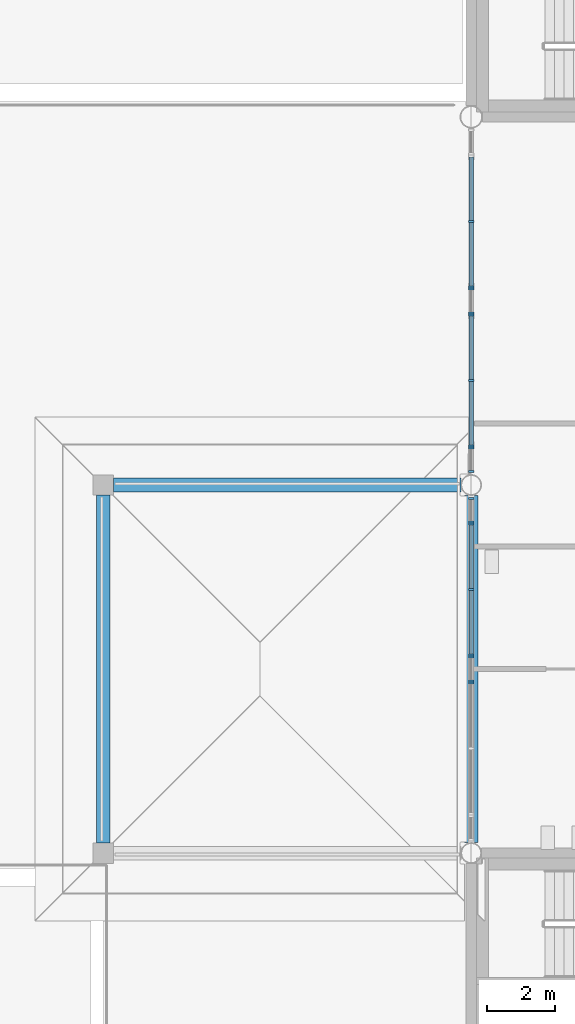
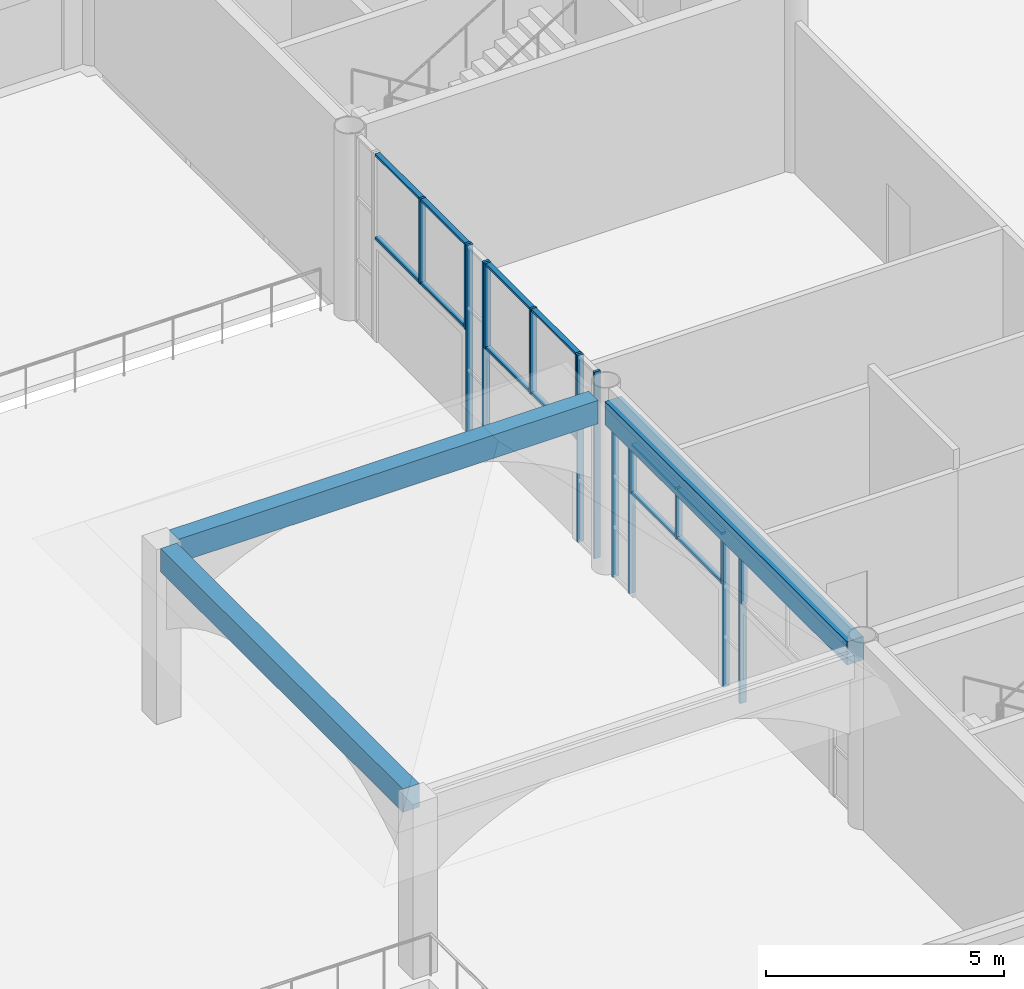
# One storey, part 18 of 91: 29 members, 3 beams, 8 elements without a shape of their own.
"""IFC4 building model written with IfcOpenShell, lengths in metres."""

import ifcopenshell
import ifcopenshell.guid

model = None  # the IFC model being written
_history = None  # IfcOwnerHistory: only IFC2X3 demands one
_inside = {}  # id of a spatial element -> (the spatial element, [elements in it])
_under = {}  # id of a project, library or spatial element -> (it, [spatial elements below it])
_declared = {}  # id of a project -> (the project, [libraries it declares])
_typed = {}  # id of a type object -> (the type object, [elements of that type])
_made_of = {}  # id of a material, layer set ... -> (it, [elements and type objects made of it])


def new_model(schema):
    """Start an empty IFC model of exactly this schema.

    Asked for "IFC4X3", IfcOpenShell would pick the latest addendum, in which some entities
    have other attributes; the version numbers below select the first issue.
    IFC2X3 requires an IfcOwnerHistory on every rooted entity: one is made here for all.
    """
    global model, _history
    if schema == "IFC4X3":
        model = ifcopenshell.file(schema_version=(4, 3, 0, 0))
    else:
        model = ifcopenshell.file(schema=schema)
    _inside.clear()
    _under.clear()
    _declared.clear()
    _typed.clear()
    _made_of.clear()
    _history = None
    if model.schema == "IFC2X3":
        org = make("IfcOrganization", Name="unknown")
        user = make(
            "IfcPersonAndOrganization",
            ThePerson=make("IfcPerson", FamilyName="unknown"),
            TheOrganization=org,
        )
        app = make(
            "IfcApplication",
            ApplicationDeveloper=org,
            Version="unknown",
            ApplicationFullName="unknown",
            ApplicationIdentifier="unknown",
        )
        _history = make(
            "IfcOwnerHistory",
            OwningUser=user,
            OwningApplication=app,
            ChangeAction="ADDED",
            CreationDate=0,
        )
    return model


def make(cls, **values):
    """One entity of the class cls with the attributes given. An attribute that is None is left unset."""
    return model.create_entity(
        cls, **{name: value for name, value in values.items() if value is not None}
    )


def rooted(cls, **values):
    """An entity with a GlobalId (a new one), such as an element, a storey or a relation."""
    return make(cls, GlobalId=ifcopenshell.guid.new(), OwnerHistory=_history, **values)


def si_unit(unit_type, name, prefix=None):
    """IfcSIUnit, for example si_unit("LENGTHUNIT", "METRE", prefix="MILLI")."""
    return make("IfcSIUnit", UnitType=unit_type, Prefix=prefix, Name=name)


def assignment(units):
    """IfcUnitAssignment: the units of a project."""
    return None if units is None else make("IfcUnitAssignment", Units=units)


def point(xyz):
    """IfcCartesianPoint."""
    return None if xyz is None else make("IfcCartesianPoint", Coordinates=xyz)


def direction(xyz):
    """IfcDirection."""
    return None if xyz is None else make("IfcDirection", DirectionRatios=xyz)


def frame(location, z_axis=None, x_axis=None):
    """IfcAxis2Placement3D, a coordinate frame: its origin and axes. An axis left out is left unset."""
    return make(
        "IfcAxis2Placement3D",
        Location=point(location),
        Axis=direction(z_axis),
        RefDirection=direction(x_axis),
    )


def frame_2d(location, x_axis=None):
    """IfcAxis2Placement2D, a coordinate frame in the plane: its origin and x axis."""
    return make(
        "IfcAxis2Placement2D", Location=point(location), RefDirection=direction(x_axis)
    )


def origin():
    """The frame at (0, 0, 0) with its axes left unset."""
    return frame((0.0, 0.0, 0.0))


def origin_2d():
    """The frame at (0, 0) in the plane with its x axis left unset."""
    return frame_2d((0.0, 0.0))


def place(relative_to, where):
    """IfcLocalPlacement: puts the frame where relative to a parent placement (None: the world)."""
    return make(
        "IfcLocalPlacement", PlacementRelTo=relative_to, RelativePlacement=where
    )


def context(
    kind, dimensions, precision=None, world=None, true_north=None, identifier=None
):
    """IfcGeometricRepresentationContext, for example the 3D "Model" context."""
    return make(
        "IfcGeometricRepresentationContext",
        ContextIdentifier=identifier,
        ContextType=kind,
        CoordinateSpaceDimension=dimensions,
        Precision=precision,
        WorldCoordinateSystem=world,
        TrueNorth=true_north,
    )


def subcontext(parent, identifier, kind, view, scale=None):
    """IfcGeometricRepresentationSubContext, for example "Body" below "Model"."""
    return make(
        "IfcGeometricRepresentationSubContext",
        ContextIdentifier=identifier,
        ContextType=kind,
        ParentContext=parent,
        TargetScale=scale,
        TargetView=view,
    )


def project(units=None, contexts=None):
    """IfcProject with its units and contexts."""
    return rooted(
        "IfcProject",
        Name="project",
        RepresentationContexts=contexts,
        UnitsInContext=assignment(units),
    )


def spatial(cls, under=None, at=None, **own):
    """A site, building, storey or space (cls), placed at a placement, below another one or the project."""
    s = rooted(cls, ObjectPlacement=at, **own)
    if under is not None:
        _under.setdefault(under.id(), (under, []))[1].append(s)
    return s


def profile(cls, at=None, kind="AREA", **sizes):
    """A parametric profile (cls). Its sizes go by their IFC names, for example OverallWidth=200.0."""
    return make(cls, ProfileType=kind, Position=at, **sizes)


def rectangle(**sizes):
    """IfcRectangleProfileDef."""
    return profile("IfcRectangleProfileDef", **sizes)


def extrude(swept, where, along, depth):
    """IfcExtrudedAreaSolid: the profile swept, set in the frame where, extruded along a direction by depth."""
    return make(
        "IfcExtrudedAreaSolid",
        SweptArea=swept,
        Position=where,
        ExtrudedDirection=direction(along),
        Depth=depth,
    )


def shape(context_of_items, identifier, shape_type, items):
    """IfcShapeRepresentation: the items that make up one representation, for example the "Body"."""
    return make(
        "IfcShapeRepresentation",
        ContextOfItems=context_of_items,
        RepresentationIdentifier=identifier,
        RepresentationType=shape_type,
        Items=items,
    )


def material(Name=None, Category=None):
    """IfcMaterial."""
    return make("IfcMaterial", Name=Name, Category=Category)


def layer(
    of_material, thickness, ventilated=None, Name=None, Category=None, Priority=None
):
    """IfcMaterialLayer: one layer of a wall or slab, of a material (None: an air gap)."""
    return make(
        "IfcMaterialLayer",
        Material=of_material,
        LayerThickness=thickness,
        IsVentilated=ventilated,
        Name=Name,
        Category=Category,
        Priority=Priority,
    )


def layer_set(layers, Name=None):
    """IfcMaterialLayerSet."""
    return make("IfcMaterialLayerSet", MaterialLayers=layers, LayerSetName=Name)


def material_profile(
    of_material, cross_section, Name=None, Category=None, Priority=None
):
    """IfcMaterialProfile: a cross section and its material."""
    return make(
        "IfcMaterialProfile",
        Name=Name,
        Material=of_material,
        Profile=cross_section,
        Priority=Priority,
        Category=Category,
    )


def profile_set(profiles, Name=None, composite=None):
    """IfcMaterialProfileSet."""
    return make(
        "IfcMaterialProfileSet",
        Name=Name,
        MaterialProfiles=profiles,
        CompositeProfile=composite,
    )


def made_of(thing, what):
    """Note that an element or type object is made of a material, layer set ...; save() writes the relation."""
    if what is not None:
        _made_of.setdefault(what.id(), (what, []))[1].append(thing)
    return thing


def type_object(cls, material=None, **own):
    """A type object (cls), such as IfcWallType, which elements share."""
    return made_of(rooted(cls, **own), material)


def element(
    cls,
    number,
    at=None,
    inside=None,
    cuts=None,
    type_object=None,
    material=None,
    context=None,
    identifier="Body",
    shape_type=None,
    held_by="IfcProductDefinitionShape",
    body=None,
    shapes=None,
    **own,
):
    """One element of the class cls, such as IfcWall. Its Tag is "e" and its number.

    at: its placement. inside: the storey or other place that contains it. cuts: it is an
    opening in that element (IfcRelVoidsElement). A single representation is given by context,
    identifier, shape_type and body (its items); several are given by shapes. held_by: the class
    of the entity that holds the representations. save() writes the other relations.
    """
    e = rooted(cls, Tag="e%d" % number, ObjectPlacement=at, **own)
    if body is not None:
        shapes = [shape(context, identifier, shape_type, body)]
    if shapes is not None:
        e.Representation = make(held_by, Representations=shapes)
    if inside is not None:
        _inside.setdefault(inside.id(), (inside, []))[1].append(e)
    if cuts is not None:
        rooted(
            "IfcRelVoidsElement", RelatingBuildingElement=cuts, RelatedOpeningElement=e
        )
    if type_object is not None:
        _typed.setdefault(type_object.id(), (type_object, []))[1].append(e)
    return made_of(e, material)


def aggregate(whole, parts):
    """IfcRelAggregates: a whole, such as a stair, and the parts it consists of."""
    return rooted("IfcRelAggregates", RelatingObject=whole, RelatedObjects=parts)


def save(model, path):
    """Write the relations noted so far, then the file.

    IfcRelAggregates (storeys below a building ...), IfcRelContainedInSpatialStructure (elements
    in a storey), IfcRelDefinesByType, IfcRelAssociatesMaterial and IfcRelDeclares: one each for
    every whole, place, type object, material and project.
    """
    for whole, parts in _under.values():
        aggregate(whole, parts)
    for where, things in _inside.values():
        rooted(
            "IfcRelContainedInSpatialStructure",
            RelatedElements=things,
            RelatingStructure=where,
        )
    for kind, things in _typed.values():
        rooted("IfcRelDefinesByType", RelatedObjects=things, RelatingType=kind)
    for what, things in _made_of.values():
        rooted("IfcRelAssociatesMaterial", RelatedObjects=things, RelatingMaterial=what)
    for by, libraries in _declared.values():
        rooted("IfcRelDeclares", RelatingContext=by, RelatedDefinitions=libraries)
    model.write(path)


model = new_model("IFC4")

# Units and contexts
model_context = context("Model", 3, precision=1e-05, world=origin(), true_north=direction((0.0, 1.0)))
body_context = subcontext(model_context, "Body", "Model", "MODEL_VIEW")
ifc_project = project(units=[si_unit("LENGTHUNIT", "METRE"), si_unit("AREAUNIT", "SQUARE_METRE"), si_unit("VOLUMEUNIT", "CUBIC_METRE"), si_unit("PLANEANGLEUNIT", "RADIAN"), si_unit("MASSUNIT", "GRAM", prefix="KILO")], contexts=[model_context])

# Site, building, storey
site_placement = place(None, origin())
site = spatial("IfcSite", under=ifc_project, at=site_placement, CompositionType="ELEMENT")
building_placement = place(site_placement, origin())
building = spatial("IfcBuilding", under=site, at=building_placement, Name="Magnolia Steps Interchange", CompositionType="ELEMENT")
storey_placement = place(building_placement, origin())
storey = spatial("IfcBuildingStorey", under=building, at=storey_placement, Name="L00", CompositionType="ELEMENT", Elevation=0.0)

# Curtain wall, member
ifc_material_1 = material(Name="Powder-coated aluminium and glass", Category="aluminium")
ifc_layer = layer(ifc_material_1, 0.14990234375)
ifc_layer_set = layer_set([ifc_layer], Name="Glazed hall curtain wall")
curtain_wall_type = type_object("IfcCurtainWallType", Name="Glazed hall curtain wall", PredefinedType="NOTDEFINED", material=ifc_layer_set)
curtain_wall_1_placement = place(storey_placement, origin())
curtain_wall_1 = element("IfcCurtainWall", 1, at=curtain_wall_1_placement, inside=storey, type_object=curtain_wall_type, Name="Hall entrance fanlight W2-1", PredefinedType="NOTDEFINED")
ifc_material_2 = material(Name="White powder-coated aluminium", Category="aluminium")
ifc_material_profile_1 = material_profile(ifc_material_2, rectangle(XDim=0.06005859375, YDim=0.14990234375, at=origin_2d()), Name="Aluminium mullion 60 x 150")
ifc_profile_set_1 = profile_set([ifc_material_profile_1], Name="White powder-coated aluminium")
member_type_1 = type_object("IfcMemberType", Name="Aluminium mullion 60 x 150", PredefinedType="MULLION", material=ifc_profile_set_1)
member_1_placement = place(storey_placement, frame((53.199951171875, 58.18994140625, 2.60009765625), z_axis=(0.0, 0.0, 1.0), x_axis=(0.0, 1.0, 0.0)))
member_1 = element("IfcMember", 2, at=member_1_placement, type_object=member_type_1, Name="CW1 mullion 3", PredefinedType="MULLION", context=body_context, shape_type="SweptSolid", body=[
    extrude(rectangle(XDim=0.06005859375, YDim=0.14990234375, at=origin_2d()), origin(), (0.0, 0.0, 1.0), 1.2998046875),
])
aggregate(curtain_wall_1, [member_1])

# Curtain wall, members
curtain_wall_2_placement = place(storey_placement, origin())
curtain_wall_2 = element("IfcCurtainWall", 3, at=curtain_wall_2_placement, inside=storey, type_object=curtain_wall_type, Name="Hall glazing W2b L00", PredefinedType="NOTDEFINED")
member_2_placement = place(storey_placement, frame((53.199951171875, 58.25, 0.0), z_axis=(0.0, 0.0, 1.0), x_axis=(0.0, 1.0, 0.0)))
member_2 = element("IfcMember", 4, at=member_2_placement, type_object=member_type_1, Name="CW1 mullion 1", PredefinedType="MULLION", context=body_context, shape_type="SweptSolid", body=[
    extrude(rectangle(XDim=0.06005859375, YDim=0.14990234375, at=origin_2d()), origin(), (0.0, 0.0, 1.0), 3.89990234375),
])
member_3_placement = place(storey_placement, frame((53.199951171875, 58.949951171875, 0.0), z_axis=(0.0, 0.0, 1.0), x_axis=(0.0, 1.0, 0.0)))
member_3 = element("IfcMember", 5, at=member_3_placement, type_object=member_type_1, Name="CW1 mullion 2", PredefinedType="MULLION", context=body_context, shape_type="SweptSolid", body=[
    extrude(rectangle(XDim=0.06005859375, YDim=0.14990234375, at=origin_2d()), origin(), (0.0, 0.0, 1.0), 3.89990234375),
])
aggregate(curtain_wall_2, [member_2, member_3])

curtain_wall_3_placement = place(storey_placement, origin())
curtain_wall_3 = element("IfcCurtainWall", 6, at=curtain_wall_3_placement, inside=storey, type_object=curtain_wall_type, Name="Hall entrance fanlight W2-2", PredefinedType="NOTDEFINED")
member_4_placement = place(storey_placement, frame((53.199951171875, 59.010009765625, 2.60009765625), z_axis=(0.0, 0.0, 1.0), x_axis=(0.0, 1.0, 0.0)))
member_4 = element("IfcMember", 7, at=member_4_placement, type_object=member_type_1, Name="CW1 mullion 1", PredefinedType="MULLION", context=body_context, shape_type="SweptSolid", body=[
    extrude(rectangle(XDim=0.06005859375, YDim=0.14990234375, at=origin_2d()), origin(), (0.0, 0.0, 1.0), 1.2998046875),
])
member_5_placement = place(storey_placement, frame((53.199951171875, 60.929931640625, 2.60009765625), z_axis=(0.0, 0.0, 1.0), x_axis=(0.0, 1.0, 0.0)))
member_5 = element("IfcMember", 8, at=member_5_placement, type_object=member_type_1, Name="CW1 mullion 2", PredefinedType="MULLION", context=body_context, shape_type="SweptSolid", body=[
    extrude(rectangle(XDim=0.06005859375, YDim=0.14990234375, at=origin_2d()), origin(), (0.0, 0.0, 1.0), 1.2998046875),
])
member_6_placement = place(storey_placement, frame((53.199951171875, 62.85009765625, 2.60009765625), z_axis=(0.0, 0.0, 1.0), x_axis=(0.0, 1.0, 0.0)))
member_6 = element("IfcMember", 9, at=member_6_placement, type_object=member_type_1, Name="CW1 mullion 3", PredefinedType="MULLION", context=body_context, shape_type="SweptSolid", body=[
    extrude(rectangle(XDim=0.06005859375, YDim=0.14990234375, at=origin_2d()), origin(), (0.0, 0.0, 1.0), 1.2998046875),
])

curtain_wall_4_placement = place(storey_placement, origin())
curtain_wall_4 = element("IfcCurtainWall", 10, at=curtain_wall_4_placement, inside=storey, type_object=curtain_wall_type, Name="Hall glazing W2z L00", PredefinedType="NOTDEFINED")
member_7_placement = place(storey_placement, frame((53.199951171875, 62.909912109375, 0.0), z_axis=(0.0, 0.0, 1.0), x_axis=(0.0, 1.0, 0.0)))
member_7 = element("IfcMember", 11, at=member_7_placement, type_object=member_type_1, Name="CW1 mullion 1", PredefinedType="MULLION", context=body_context, shape_type="SweptSolid", body=[
    extrude(rectangle(XDim=0.06005859375, YDim=0.14990234375, at=origin_2d()), origin(), (0.0, 0.0, 1.0), 3.89990234375),
])
member_8_placement = place(storey_placement, frame((53.199951171875, 63.610107421875, 0.0), z_axis=(0.0, 0.0, 1.0), x_axis=(0.0, 1.0, 0.0)))
member_8 = element("IfcMember", 12, at=member_8_placement, type_object=member_type_1, Name="CW1 mullion 2", PredefinedType="MULLION", context=body_context, shape_type="SweptSolid", body=[
    extrude(rectangle(XDim=0.06005859375, YDim=0.14990234375, at=origin_2d()), origin(), (0.0, 0.0, 1.0), 3.89990234375),
])
aggregate(curtain_wall_4, [member_7, member_8])

curtain_wall_5_placement = place(storey_placement, origin())
curtain_wall_5 = element("IfcCurtainWall", 13, at=curtain_wall_5_placement, inside=storey, type_object=curtain_wall_type, Name="Hall glazing W3a L00", PredefinedType="NOTDEFINED")
member_9_placement = place(storey_placement, frame((53.199951171875, 64.389892578125, 0.0), z_axis=(0.0, 0.0, 1.0), x_axis=(0.0, 1.0, 0.0)))
member_9 = element("IfcMember", 14, at=member_9_placement, type_object=member_type_1, Name="CW1 mullion 1", PredefinedType="MULLION", context=body_context, shape_type="SweptSolid", body=[
    extrude(rectangle(XDim=0.06005859375, YDim=0.14990234375, at=origin_2d()), origin(), (0.0, 0.0, 1.0), 4.800048828125),
])
member_10_placement = place(storey_placement, frame((53.199951171875, 65.090087890625, 0.0), z_axis=(0.0, 0.0, 1.0), x_axis=(0.0, 1.0, 0.0)))
member_10 = element("IfcMember", 15, at=member_10_placement, type_object=member_type_1, Name="CW1 mullion 2", PredefinedType="MULLION", context=body_context, shape_type="SweptSolid", body=[
    extrude(rectangle(XDim=0.06005859375, YDim=0.14990234375, at=origin_2d()), origin(), (0.0, 0.0, 1.0), 4.800048828125),
])
aggregate(curtain_wall_5, [member_9, member_10])

curtain_wall_6_placement = place(storey_placement, origin())
curtain_wall_6 = element("IfcCurtainWall", 16, at=curtain_wall_6_placement, inside=storey, type_object=curtain_wall_type, Name="Hall entrance fanlight W3-1", PredefinedType="NOTDEFINED")
member_11_placement = place(storey_placement, frame((53.199951171875, 65.14990234375, 2.60009765625), z_axis=(0.0, 0.0, 1.0), x_axis=(0.0, 1.0, 0.0)))
member_11 = element("IfcMember", 17, at=member_11_placement, type_object=member_type_1, Name="CW1 mullion 1", PredefinedType="MULLION", context=body_context, shape_type="SweptSolid", body=[
    extrude(rectangle(XDim=0.06005859375, YDim=0.14990234375, at=origin_2d()), origin(), (0.0, 0.0, 1.0), 2.199951171875),
])
member_12_placement = place(storey_placement, frame((53.199951171875, 67.070068359375, 2.60009765625), z_axis=(0.0, 0.0, 1.0), x_axis=(0.0, 1.0, 0.0)))
member_12 = element("IfcMember", 18, at=member_12_placement, type_object=member_type_1, Name="CW1 mullion 2", PredefinedType="MULLION", context=body_context, shape_type="SweptSolid", body=[
    extrude(rectangle(XDim=0.06005859375, YDim=0.14990234375, at=origin_2d()), origin(), (0.0, 0.0, 1.0), 2.199951171875),
])
member_13_placement = place(storey_placement, frame((53.199951171875, 68.989990234375, 2.60009765625), z_axis=(0.0, 0.0, 1.0), x_axis=(0.0, 1.0, 0.0)))
member_13 = element("IfcMember", 19, at=member_13_placement, type_object=member_type_1, Name="CW1 mullion 3", PredefinedType="MULLION", context=body_context, shape_type="SweptSolid", body=[
    extrude(rectangle(XDim=0.06005859375, YDim=0.14990234375, at=origin_2d()), origin(), (0.0, 0.0, 1.0), 2.199951171875),
])

curtain_wall_7_placement = place(storey_placement, origin())
curtain_wall_7 = element("IfcCurtainWall", 20, at=curtain_wall_7_placement, inside=storey, type_object=curtain_wall_type, Name="Hall glazing W3b L00", PredefinedType="NOTDEFINED")
member_14_placement = place(storey_placement, frame((53.199951171875, 69.050048828125, 0.0), z_axis=(0.0, 0.0, 1.0), x_axis=(0.0, 1.0, 0.0)))
member_14 = element("IfcMember", 21, at=member_14_placement, type_object=member_type_1, Name="CW1 mullion 1", PredefinedType="MULLION", context=body_context, shape_type="SweptSolid", body=[
    extrude(rectangle(XDim=0.06005859375, YDim=0.14990234375, at=origin_2d()), origin(), (0.0, 0.0, 1.0), 4.800048828125),
])
member_15_placement = place(storey_placement, frame((53.199951171875, 69.75, 0.0), z_axis=(0.0, 0.0, 1.0), x_axis=(0.0, 1.0, 0.0)))
member_15 = element("IfcMember", 22, at=member_15_placement, type_object=member_type_1, Name="CW1 mullion 2", PredefinedType="MULLION", context=body_context, shape_type="SweptSolid", body=[
    extrude(rectangle(XDim=0.06005859375, YDim=0.14990234375, at=origin_2d()), origin(), (0.0, 0.0, 1.0), 4.800048828125),
])
aggregate(curtain_wall_7, [member_14, member_15])

curtain_wall_8_placement = place(storey_placement, origin())
curtain_wall_8 = element("IfcCurtainWall", 23, at=curtain_wall_8_placement, inside=storey, type_object=curtain_wall_type, Name="Hall entrance fanlight W3-2", PredefinedType="NOTDEFINED")
member_16_placement = place(storey_placement, frame((53.199951171875, 69.81005859375, 2.60009765625), z_axis=(0.0, 0.0, 1.0), x_axis=(0.0, 1.0, 0.0)))
member_16 = element("IfcMember", 24, at=member_16_placement, type_object=member_type_1, Name="CW1 mullion 1", PredefinedType="MULLION", context=body_context, shape_type="SweptSolid", body=[
    extrude(rectangle(XDim=0.06005859375, YDim=0.14990234375, at=origin_2d()), origin(), (0.0, 0.0, 1.0), 2.199951171875),
])
member_17_placement = place(storey_placement, frame((53.199951171875, 71.72998046875, 2.60009765625), z_axis=(0.0, 0.0, 1.0), x_axis=(0.0, 1.0, 0.0)))
member_17 = element("IfcMember", 25, at=member_17_placement, type_object=member_type_1, Name="CW1 mullion 2", PredefinedType="MULLION", context=body_context, shape_type="SweptSolid", body=[
    extrude(rectangle(XDim=0.06005859375, YDim=0.14990234375, at=origin_2d()), origin(), (0.0, 0.0, 1.0), 2.199951171875),
])

# Member
ifc_material_3 = material(Name="White powder-coated aluminium", Category="aluminium")
ifc_material_profile_2 = material_profile(ifc_material_3, rectangle(XDim=0.06005859375, YDim=0.1201171875, at=origin_2d()), Name="Aluminium transom 60 x 120")
ifc_profile_set_2 = profile_set([ifc_material_profile_2], Name="White powder-coated aluminium")
member_type_2 = type_object("IfcMemberType", Name="Aluminium transom 60 x 120", PredefinedType="USERDEFINED", material=ifc_profile_set_2)
member_18_placement = place(storey_placement, frame((53.199951171875, 59.0400390625, 2.6298828125), z_axis=(0.0, 1.0, 0.0), x_axis=(0.0, 0.0, 1.0)))
member_18 = element("IfcMember", 26, at=member_18_placement, type_object=member_type_2, Name="CW1 transom 1.1", ObjectType="TRANSOM", PredefinedType="USERDEFINED", context=body_context, shape_type="SweptSolid", body=[
    extrude(rectangle(XDim=0.06005859375, YDim=0.1201171875, at=origin_2d()), origin(), (0.0, 0.0, 1.0), 1.85986328125),
])

member_19_placement = place(storey_placement, frame((53.199951171875, 59.0400390625, 3.8701171875), z_axis=(0.0, 1.0, 0.0), x_axis=(0.0, 0.0, 1.0)))
member_19 = element("IfcMember", 27, at=member_19_placement, type_object=member_type_2, Name="CW1 transom 1.2", ObjectType="TRANSOM", PredefinedType="USERDEFINED", context=body_context, shape_type="SweptSolid", body=[
    extrude(rectangle(XDim=0.06005859375, YDim=0.1201171875, at=origin_2d()), origin(), (0.0, 0.0, 1.0), 1.85986328125),
])

member_20_placement = place(storey_placement, frame((53.199951171875, 60.9599609375, 2.6298828125), z_axis=(0.0, 1.0, 0.0), x_axis=(0.0, 0.0, 1.0)))
member_20 = element("IfcMember", 28, at=member_20_placement, type_object=member_type_2, Name="CW1 transom 2.1", ObjectType="TRANSOM", PredefinedType="USERDEFINED", context=body_context, shape_type="SweptSolid", body=[
    extrude(rectangle(XDim=0.06005859375, YDim=0.1201171875, at=origin_2d()), origin(), (0.0, 0.0, 1.0), 1.860107421875),
])

member_21_placement = place(storey_placement, frame((53.199951171875, 60.9599609375, 3.8701171875), z_axis=(0.0, 1.0, 0.0), x_axis=(0.0, 0.0, 1.0)))
member_21 = element("IfcMember", 29, at=member_21_placement, type_object=member_type_2, Name="CW1 transom 2.2", ObjectType="TRANSOM", PredefinedType="USERDEFINED", context=body_context, shape_type="SweptSolid", body=[
    extrude(rectangle(XDim=0.06005859375, YDim=0.1201171875, at=origin_2d()), origin(), (0.0, 0.0, 1.0), 1.860107421875),
])

aggregate(curtain_wall_3, [member_4, member_5, member_6, member_18, member_19, member_20, member_21])

member_22_placement = place(storey_placement, frame((53.199951171875, 65.179931640625, 2.6298828125), z_axis=(0.0, 1.0, 0.0), x_axis=(0.0, 0.0, 1.0)))
member_22 = element("IfcMember", 30, at=member_22_placement, type_object=member_type_2, Name="CW1 transom 1.1", ObjectType="TRANSOM", PredefinedType="USERDEFINED", context=body_context, shape_type="SweptSolid", body=[
    extrude(rectangle(XDim=0.06005859375, YDim=0.1201171875, at=origin_2d()), origin(), (0.0, 0.0, 1.0), 1.860107421875),
])

member_23_placement = place(storey_placement, frame((53.199951171875, 65.179931640625, 4.77001953125), z_axis=(0.0, 1.0, 0.0), x_axis=(0.0, 0.0, 1.0)))
member_23 = element("IfcMember", 31, at=member_23_placement, type_object=member_type_2, Name="CW1 transom 1.2", ObjectType="TRANSOM", PredefinedType="USERDEFINED", context=body_context, shape_type="SweptSolid", body=[
    extrude(rectangle(XDim=0.06005859375, YDim=0.1201171875, at=origin_2d()), origin(), (0.0, 0.0, 1.0), 1.860107421875),
])

member_24_placement = place(storey_placement, frame((53.199951171875, 67.10009765625, 2.6298828125), z_axis=(0.0, 1.0, 0.0), x_axis=(0.0, 0.0, 1.0)))
member_24 = element("IfcMember", 32, at=member_24_placement, type_object=member_type_2, Name="CW1 transom 2.1", ObjectType="TRANSOM", PredefinedType="USERDEFINED", context=body_context, shape_type="SweptSolid", body=[
    extrude(rectangle(XDim=0.06005859375, YDim=0.1201171875, at=origin_2d()), origin(), (0.0, 0.0, 1.0), 1.85986328125),
])

member_25_placement = place(storey_placement, frame((53.199951171875, 67.10009765625, 4.77001953125), z_axis=(0.0, 1.0, 0.0), x_axis=(0.0, 0.0, 1.0)))
member_25 = element("IfcMember", 33, at=member_25_placement, type_object=member_type_2, Name="CW1 transom 2.2", ObjectType="TRANSOM", PredefinedType="USERDEFINED", context=body_context, shape_type="SweptSolid", body=[
    extrude(rectangle(XDim=0.06005859375, YDim=0.1201171875, at=origin_2d()), origin(), (0.0, 0.0, 1.0), 1.85986328125),
])

aggregate(curtain_wall_6, [member_11, member_12, member_13, member_22, member_23, member_24, member_25])

member_26_placement = place(storey_placement, frame((53.199951171875, 69.840087890625, 2.6298828125), z_axis=(0.0, 1.0, 0.0), x_axis=(0.0, 0.0, 1.0)))
member_26 = element("IfcMember", 34, at=member_26_placement, type_object=member_type_2, Name="CW1 transom 1.1", ObjectType="TRANSOM", PredefinedType="USERDEFINED", context=body_context, shape_type="SweptSolid", body=[
    extrude(rectangle(XDim=0.06005859375, YDim=0.1201171875, at=origin_2d()), origin(), (0.0, 0.0, 1.0), 1.85986328125),
])

member_27_placement = place(storey_placement, frame((53.199951171875, 69.840087890625, 4.77001953125), z_axis=(0.0, 1.0, 0.0), x_axis=(0.0, 0.0, 1.0)))
member_27 = element("IfcMember", 35, at=member_27_placement, type_object=member_type_2, Name="CW1 transom 1.2", ObjectType="TRANSOM", PredefinedType="USERDEFINED", context=body_context, shape_type="SweptSolid", body=[
    extrude(rectangle(XDim=0.06005859375, YDim=0.1201171875, at=origin_2d()), origin(), (0.0, 0.0, 1.0), 1.85986328125),
])

member_28_placement = place(storey_placement, frame((53.199951171875, 71.760009765625, 2.6298828125), z_axis=(0.0, 1.0, 0.0), x_axis=(0.0, 0.0, 1.0)))
member_28 = element("IfcMember", 36, at=member_28_placement, type_object=member_type_2, Name="CW1 transom 2.1", ObjectType="TRANSOM", PredefinedType="USERDEFINED", context=body_context, shape_type="SweptSolid", body=[
    extrude(rectangle(XDim=0.06005859375, YDim=0.1201171875, at=origin_2d()), origin(), (0.0, 0.0, 1.0), 1.860107421875),
])

member_29_placement = place(storey_placement, frame((53.199951171875, 71.760009765625, 4.77001953125), z_axis=(0.0, 1.0, 0.0), x_axis=(0.0, 0.0, 1.0)))
member_29 = element("IfcMember", 37, at=member_29_placement, type_object=member_type_2, Name="CW1 transom 2.2", ObjectType="TRANSOM", PredefinedType="USERDEFINED", context=body_context, shape_type="SweptSolid", body=[
    extrude(rectangle(XDim=0.06005859375, YDim=0.1201171875, at=origin_2d()), origin(), (0.0, 0.0, 1.0), 1.860107421875),
])

aggregate(curtain_wall_8, [member_16, member_17, member_26, member_27, member_28, member_29])

# Beams
ifc_material_4 = material(Name="Concrete C40", Category="concrete")
ifc_material_profile_3 = material_profile(ifc_material_4, rectangle(XDim=0.39990234375, YDim=0.60009765625, at=origin_2d()), Name="RC400x600")
ifc_profile_set_3 = profile_set([ifc_material_profile_3], Name="Concrete C40")
beam_type = type_object("IfcBeamType", Name="RC beam 400x600", PredefinedType="BEAM", material=ifc_profile_set_3)
beam_1_placement = place(storey_placement, frame((53.199951171875, 53.5048828125, 4.199951171875), z_axis=(0.0, 1.0, 0.0), x_axis=(-1.0, 0.0, 0.0)))
element("IfcBeam", 38, at=beam_1_placement, inside=storey, type_object=beam_type, Name="Portico eave beam W2", PredefinedType="BEAM", context=body_context, shape_type="SweptSolid", body=[
    extrude(rectangle(XDim=0.39990234375, YDim=0.60009765625, at=origin_2d()), origin(), (0.0, 0.0, 1.0), 10.190185546875),
])
beam_2_placement = place(storey_placement, frame((52.89501953125, 64.0, 4.199951171875), z_axis=(-1.0, 0.0, 0.0), x_axis=(0.0, -1.0, 0.0)))
element("IfcBeam", 39, at=beam_2_placement, inside=storey, type_object=beam_type, Name="Portico eave beam W2", PredefinedType="BEAM", context=body_context, shape_type="SweptSolid", body=[
    extrude(rectangle(XDim=0.39990234375, YDim=0.60009765625, at=origin_2d()), origin(), (0.0, 0.0, 1.0), 10.195068359375),
])
beam_3_placement = place(storey_placement, frame((42.39990234375, 63.699951171875, 4.199951171875), z_axis=(0.0, -1.0, 0.0), x_axis=(1.0, 0.0, 0.0)))
element("IfcBeam", 40, at=beam_3_placement, inside=storey, type_object=beam_type, Name="Portico eave beam W2", PredefinedType="BEAM", context=body_context, shape_type="SweptSolid", body=[
    extrude(rectangle(XDim=0.39990234375, YDim=0.60009765625, at=origin_2d()), origin(), (0.0, 0.0, 1.0), 10.199951171875),
])

save(model, "model.ifc")
